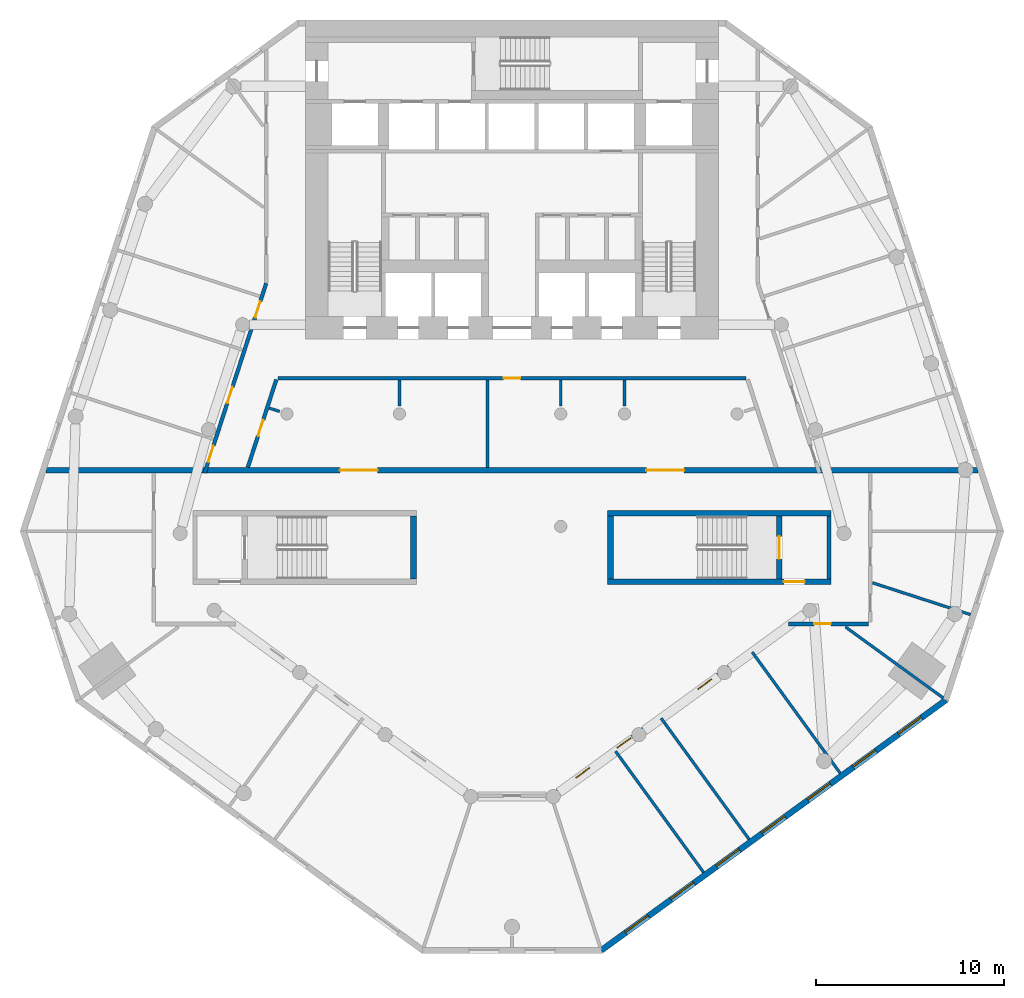
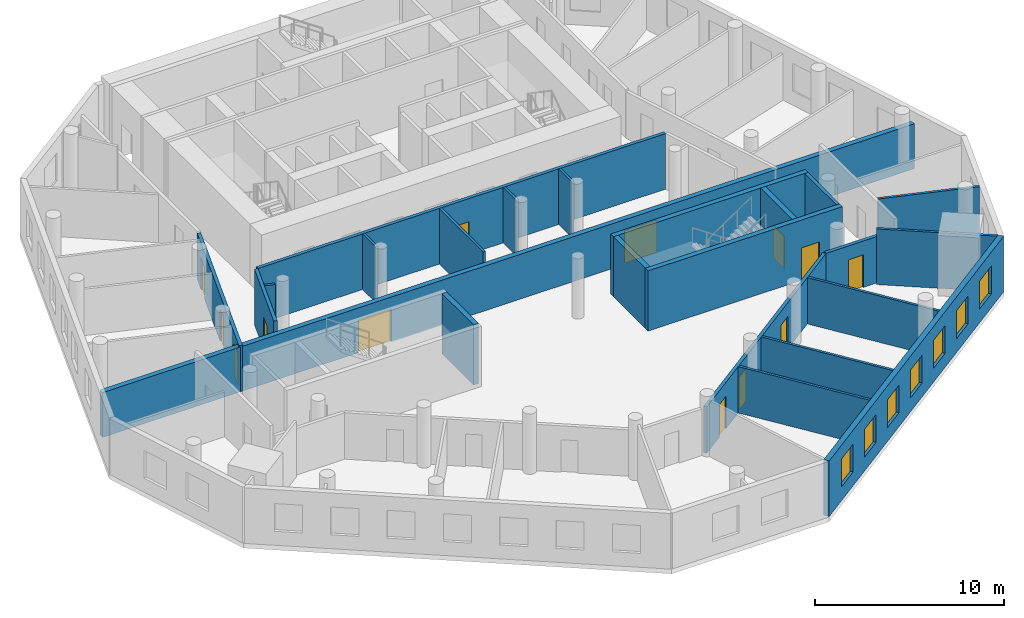
# One storey, part 3 of 9: 23 walls, 13 doors, 7 windows, 20 openings.
"""IFC4 building model written with IfcOpenShell, lengths in metres."""

from ifc_helpers import new_model, si_unit, direction, frame, frame_2d, origin, place, context, subcontext, project, spatial, rectangle, extrude, material, layer, layer_set, type_object, element, fill, save


model = new_model("IFC4")

# Units and contexts
model_context = context("Model", 3, precision=1e-05, world=origin(), true_north=direction((0.0, 1.0)))
body_context = subcontext(model_context, "Body", "Model", "MODEL_VIEW")
ifc_project = project(units=[si_unit("LENGTHUNIT", "METRE"), si_unit("AREAUNIT", "SQUARE_METRE"), si_unit("VOLUMEUNIT", "CUBIC_METRE"), si_unit("PLANEANGLEUNIT", "RADIAN"), si_unit("MASSUNIT", "GRAM", prefix="KILO")], contexts=[model_context])

# Site, building, storey
site_placement = place(None, origin())
site = spatial("IfcSite", under=ifc_project, at=site_placement, CompositionType="ELEMENT")
building_placement = place(site_placement, origin())
building = spatial("IfcBuilding", under=site, at=building_placement, Name="White Candle Pilgrim Tower", CompositionType="ELEMENT")
storey_placement = place(building_placement, frame((0.0, 0.0, 58.5)))
storey = spatial("IfcBuildingStorey", under=building, at=storey_placement, Name="L11", CompositionType="ELEMENT", Elevation=58.5)

# Wall
ifc_material_1 = material(Name="Concrete C70/85", Category="concrete")
ifc_layer_1 = layer(ifc_material_1, 0.199951171875)
ifc_layer_set_1 = layer_set([ifc_layer_1], Name="Core wall 200 mm Concrete C70/85")
wall_type_1 = type_object("IfcWallType", Name="Core wall 200 mm Concrete C70/85", PredefinedType="SHEAR", material=ifc_layer_set_1)
wall_1_placement = place(storey_placement, frame((86.89990234375, 58.199951171875, 0.0), z_axis=(0.0, 0.0, 1.0), x_axis=(0.0, 1.0, 0.0)))
element("IfcWall", 1, at=wall_1_placement, inside=storey, type_object=wall_type_1, Name="WL-L11-C08", PredefinedType="SHEAR", context=body_context, shape_type="SweptSolid", body=[
    extrude(rectangle(XDim=3.35009765625, YDim=0.199951171875, at=frame_2d((1.675048828125, 0.0))), origin(), (0.0, 0.0, 1.0), 3.89990234375),
])

# Wall, openings, doors
ifc_material_2 = material(Name="Gypsum board on steel studs", Category="steel")
ifc_layer_2 = layer(ifc_material_2, 0.199951171875)
ifc_layer_set_2 = layer_set([ifc_layer_2], Name="Corridor wall 200 mm EI 45")
wall_type_2 = type_object("IfcWallType", Name="Corridor wall 200 mm EI 45", PredefinedType="PARTITIONING", material=ifc_layer_set_2)
wall_2_placement = place(storey_placement, frame((53.610107421875, 63.85009765625, 0.0), z_axis=(0.0, 0.0, 1.0), x_axis=(0.308998312102, 0.951062586331, 0.0)))
wall_2 = element("IfcWall", 2, at=wall_2_placement, inside=storey, type_object=wall_type_2, Name="WL-L11-P002", PredefinedType="PARTITIONING", context=body_context, shape_type="SweptSolid", body=[
    extrude(rectangle(XDim=10.630859375, YDim=0.199951171875, at=frame_2d((5.3154296875, 0.0))), origin(), (0.0, 0.0, 1.0), 3.0),
])
opening_1_placement = place(wall_2_placement, frame((0.623291015625, 0.0, 0.0)))
opening_1 = element("IfcOpeningElement", 3, at=opening_1_placement, cuts=wall_2, Name="Opening T03-115", PredefinedType="OPENING", context=body_context, shape_type="SweptSolid", body=[
    extrude(rectangle(XDim=0.89990234375, YDim=2.10009765625, at=frame_2d((0.449951171875, 1.050048828125))), frame((0.0, 0.10986328125, 0.0), z_axis=(0.0, -1.0, 0.0), x_axis=(1.0, 0.0, 0.0)), (0.0, 0.0, 1.0), 0.219970703125),
])
opening_2_placement = place(wall_2_placement, frame((3.916748046875, 0.0, 0.0)))
opening_2 = element("IfcOpeningElement", 4, at=opening_2_placement, cuts=wall_2, Name="Opening T03-116", PredefinedType="OPENING", context=body_context, shape_type="SweptSolid", body=[
    extrude(rectangle(XDim=0.89990234375, YDim=2.10009765625, at=frame_2d((0.449951171875, 1.050048828125))), frame((0.0, 0.10986328125, 0.0), z_axis=(0.0, -1.0, 0.0), x_axis=(1.0, 0.0, 0.0)), (0.0, 0.0, 1.0), 0.219970703125),
])
opening_3_placement = place(wall_2_placement, frame((8.716552734375, 0.0, 0.0)))
opening_3 = element("IfcOpeningElement", 5, at=opening_3_placement, cuts=wall_2, Name="Opening T03-117", PredefinedType="OPENING", context=body_context, shape_type="SweptSolid", body=[
    extrude(rectangle(XDim=0.89990234375, YDim=2.10009765625, at=frame_2d((0.449951171875, 1.050048828125))), frame((0.0, 0.10986328125, 0.0), z_axis=(0.0, -1.0, 0.0), x_axis=(1.0, 0.0, 0.0)), (0.0, 0.0, 1.0), 0.219970703125),
])
ifc_material_3 = material(Name="Steel door leaf", Category="steel")
door_type_1 = type_object("IfcDoorType", Name="Fire door 900 x 2100 EI 30", OperationType="NOTDEFINED", PredefinedType="DOOR", material=ifc_material_3)
door_1_placement = place(opening_1_placement, origin())
door_1 = element("IfcDoor", 6, at=door_1_placement, inside=storey, type_object=door_type_1, Name="Door T03-115", OperationType="SINGLE_SWING_LEFT", OverallHeight=2.10009765625, OverallWidth=0.89990234375, PredefinedType="DOOR", context=body_context, shape_type="SweptSolid", body=[
    extrude(rectangle(XDim=0.89990234375, YDim=2.10009765625, at=frame_2d((0.449951171875, 1.050048828125))), frame((0.0, 0.02490234375, 0.0), z_axis=(0.0, -1.0, 0.0), x_axis=(1.0, 0.0, 0.0)), (0.0, 0.0, 1.0), 0.050048828125),
])
fill(opening_1, door_1)
door_2_placement = place(opening_2_placement, origin())
door_2 = element("IfcDoor", 7, at=door_2_placement, inside=storey, type_object=door_type_1, Name="Door T03-116", OperationType="SINGLE_SWING_RIGHT", OverallHeight=2.10009765625, OverallWidth=0.89990234375, PredefinedType="DOOR", context=body_context, shape_type="SweptSolid", body=[
    extrude(rectangle(XDim=0.89990234375, YDim=2.10009765625, at=frame_2d((0.449951171875, 1.050048828125))), frame((0.0, 0.02490234375, 0.0), z_axis=(0.0, -1.0, 0.0), x_axis=(1.0, 0.0, 0.0)), (0.0, 0.0, 1.0), 0.050048828125),
])
fill(opening_2, door_2)
door_3_placement = place(opening_3_placement, origin())
door_3 = element("IfcDoor", 8, at=door_3_placement, inside=storey, type_object=door_type_1, Name="Door T03-117", OperationType="SINGLE_SWING_LEFT", OverallHeight=2.10009765625, OverallWidth=0.89990234375, PredefinedType="DOOR", context=body_context, shape_type="SweptSolid", body=[
    extrude(rectangle(XDim=0.89990234375, YDim=2.10009765625, at=frame_2d((0.449951171875, 1.050048828125))), frame((0.0, 0.02490234375, 0.0), z_axis=(0.0, -1.0, 0.0), x_axis=(1.0, 0.0, 0.0)), (0.0, 0.0, 1.0), 0.050048828125),
])
fill(opening_3, door_3)

# Wall, opening, door
wall_3_placement = place(storey_placement, frame((89.0, 55.800048828125, 0.0), z_axis=(0.0, 0.0, 1.0), x_axis=(-1.0, 0.0, 0.0)))
wall_3 = element("IfcWall", 9, at=wall_3_placement, inside=storey, type_object=wall_type_2, Name="WL-L11-P007", PredefinedType="PARTITIONING", context=body_context, shape_type="SweptSolid", body=[
    extrude(rectangle(XDim=4.27099609375, YDim=0.199951171875, at=frame_2d((2.135498046875, 0.0))), origin(), (0.0, 0.0, 1.0), 3.0),
])
opening_4_placement = place(wall_3_placement, frame((1.996337890625, 0.0, 0.0)))
opening_4 = element("IfcOpeningElement", 10, at=opening_4_placement, cuts=wall_3, Name="Opening T03-109", PredefinedType="OPENING", context=body_context, shape_type="SweptSolid", body=[
    extrude(rectangle(XDim=0.89990234375, YDim=2.10009765625, at=frame_2d((0.449951171875, 1.050048828125))), frame((0.0, 0.10986328125, 0.0), z_axis=(0.0, -1.0, 0.0), x_axis=(1.0, 0.0, 0.0)), (0.0, 0.0, 1.0), 0.219970703125),
])
door_4_placement = place(opening_4_placement, origin())
door_4 = element("IfcDoor", 11, at=door_4_placement, inside=storey, type_object=door_type_1, Name="Door T03-109", OperationType="SINGLE_SWING_LEFT", OverallHeight=2.10009765625, OverallWidth=0.89990234375, PredefinedType="DOOR", context=body_context, shape_type="SweptSolid", body=[
    extrude(rectangle(XDim=0.89990234375, YDim=2.10009765625, at=frame_2d((0.449951171875, 1.050048828125))), frame((0.0, 0.02490234375, 0.0), z_axis=(0.0, -1.0, 0.0), x_axis=(1.0, 0.0, 0.0)), (0.0, 0.0, 1.0), 0.050048828125),
])
fill(opening_4, door_4)

# Wall, openings, doors
wall_4_placement = place(storey_placement, frame((84.67041015625, 55.781005859375, 0.0), z_axis=(0.0, 0.0, 1.0), x_axis=(-0.80901748899, -0.587784571512, 0.0)))
wall_4 = element("IfcWall", 12, at=wall_4_placement, inside=storey, type_object=wall_type_2, Name="WL-L11-P008", PredefinedType="PARTITIONING", context=body_context, shape_type="SweptSolid", body=[
    extrude(rectangle(XDim=15.52685546875, YDim=0.199951171875, at=frame_2d((7.763427734375, 0.0))), origin(), (0.0, 0.0, 1.0), 3.0),
])
opening_5_placement = place(wall_4_placement, frame((13.018798828125, 0.0, 0.0)))
opening_5 = element("IfcOpeningElement", 13, at=opening_5_placement, cuts=wall_4, Name="Opening T03-106", PredefinedType="OPENING", context=body_context, shape_type="SweptSolid", body=[
    extrude(rectangle(XDim=0.89990234375, YDim=2.10009765625, at=frame_2d((0.449951171875, 1.050048828125))), frame((0.0, 0.10986328125, 0.0), z_axis=(0.0, -1.0, 0.0), x_axis=(1.0, 0.0, 0.0)), (0.0, 0.0, 1.0), 0.219970703125),
])
opening_6_placement = place(wall_4_placement, frame((10.30322265625, 0.0, 0.0)))
opening_6 = element("IfcOpeningElement", 14, at=opening_6_placement, cuts=wall_4, Name="Opening T03-107", PredefinedType="OPENING", context=body_context, shape_type="SweptSolid", body=[
    extrude(rectangle(XDim=0.89990234375, YDim=2.10009765625, at=frame_2d((0.449951171875, 1.050048828125))), frame((0.0, 0.10986328125, 0.0), z_axis=(0.0, -1.0, 0.0), x_axis=(1.0, 0.0, 0.0)), (0.0, 0.0, 1.0), 0.219970703125),
])
opening_7_placement = place(wall_4_placement, frame((4.978271484375, 0.0, 0.0)))
opening_7 = element("IfcOpeningElement", 15, at=opening_7_placement, cuts=wall_4, Name="Opening T03-108", PredefinedType="OPENING", context=body_context, shape_type="SweptSolid", body=[
    extrude(rectangle(XDim=0.89990234375, YDim=2.10009765625, at=frame_2d((0.449951171875, 1.050048828125))), frame((0.0, 0.10986328125, 0.0), z_axis=(0.0, -1.0, 0.0), x_axis=(1.0, 0.0, 0.0)), (0.0, 0.0, 1.0), 0.219970703125),
])
door_5_placement = place(opening_5_placement, origin())
door_5 = element("IfcDoor", 16, at=door_5_placement, inside=storey, type_object=door_type_1, Name="Door T03-106", OperationType="SINGLE_SWING_RIGHT", OverallHeight=2.10009765625, OverallWidth=0.89990234375, PredefinedType="DOOR", context=body_context, shape_type="SweptSolid", body=[
    extrude(rectangle(XDim=0.89990234375, YDim=2.10009765625, at=frame_2d((0.449951171875, 1.050048828125))), frame((0.0, 0.02490234375, 0.0), z_axis=(0.0, -1.0, 0.0), x_axis=(1.0, 0.0, 0.0)), (0.0, 0.0, 1.0), 0.050048828125),
])
fill(opening_5, door_5)
door_6_placement = place(opening_6_placement, origin())
door_6 = element("IfcDoor", 17, at=door_6_placement, inside=storey, type_object=door_type_1, Name="Door T03-107", OperationType="SINGLE_SWING_LEFT", OverallHeight=2.10009765625, OverallWidth=0.89990234375, PredefinedType="DOOR", context=body_context, shape_type="SweptSolid", body=[
    extrude(rectangle(XDim=0.89990234375, YDim=2.10009765625, at=frame_2d((0.449951171875, 1.050048828125))), frame((0.0, 0.02490234375, 0.0), z_axis=(0.0, -1.0, 0.0), x_axis=(1.0, 0.0, 0.0)), (0.0, 0.0, 1.0), 0.050048828125),
])
fill(opening_6, door_6)
door_7_placement = place(opening_7_placement, origin())
door_7 = element("IfcDoor", 18, at=door_7_placement, inside=storey, type_object=door_type_1, Name="Door T03-108", OperationType="SINGLE_SWING_RIGHT", OverallHeight=2.10009765625, OverallWidth=0.89990234375, PredefinedType="DOOR", context=body_context, shape_type="SweptSolid", body=[
    extrude(rectangle(XDim=0.89990234375, YDim=2.10009765625, at=frame_2d((0.449951171875, 1.050048828125))), frame((0.0, 0.02490234375, 0.0), z_axis=(0.0, -1.0, 0.0), x_axis=(1.0, 0.0, 0.0)), (0.0, 0.0, 1.0), 0.050048828125),
])
fill(opening_7, door_7)

# Wall, opening, door
wall_5_placement = place(storey_placement, frame((82.468505859375, 68.89990234375, 0.0), z_axis=(0.0, 0.0, 1.0), x_axis=(-1.0, 0.0, 0.0)))
wall_5 = element("IfcWall", 19, at=wall_5_placement, inside=storey, type_object=wall_type_2, Name="WL-L11-P013", PredefinedType="PARTITIONING", context=body_context, shape_type="SweptSolid", body=[
    extrude(rectangle(XDim=24.93701171875, YDim=0.199951171875, at=frame_2d((12.468505859375, 0.0))), origin(), (0.0, 0.0, 1.0), 3.60009765625),
])
opening_8_placement = place(wall_5_placement, frame((12.0185546875, 0.0, 0.0)))
opening_8 = element("IfcOpeningElement", 20, at=opening_8_placement, cuts=wall_5, Name="Opening T03-130", PredefinedType="OPENING", context=body_context, shape_type="SweptSolid", body=[
    extrude(rectangle(XDim=0.89990234375, YDim=2.10009765625, at=frame_2d((0.449951171875, 1.050048828125))), frame((0.0, 0.10986328125, 0.0), z_axis=(0.0, -1.0, 0.0), x_axis=(1.0, 0.0, 0.0)), (0.0, 0.0, 1.0), 0.219970703125),
])
door_8_placement = place(opening_8_placement, origin())
door_8 = element("IfcDoor", 21, at=door_8_placement, inside=storey, type_object=door_type_1, Name="Door T03-130", OperationType="SINGLE_SWING_RIGHT", OverallHeight=2.10009765625, OverallWidth=0.89990234375, PredefinedType="DOOR", context=body_context, shape_type="SweptSolid", body=[
    extrude(rectangle(XDim=0.89990234375, YDim=2.10009765625, at=frame_2d((0.449951171875, 1.050048828125))), frame((0.0, 0.02490234375, 0.0), z_axis=(0.0, -1.0, 0.0), x_axis=(1.0, 0.0, 0.0)), (0.0, 0.0, 1.0), 0.050048828125),
])
fill(opening_8, door_8)

wall_6_placement = place(storey_placement, frame((57.436279296875, 68.830810546875, 0.0), z_axis=(0.0, 0.0, 1.0), x_axis=(-0.308986244793, -0.95106650689, 0.0)))
wall_6 = element("IfcWall", 22, at=wall_6_placement, inside=storey, type_object=wall_type_2, Name="WL-L11-P014", PredefinedType="PARTITIONING", context=body_context, shape_type="SweptSolid", body=[
    extrude(rectangle(XDim=4.921630859375, YDim=0.199951171875, at=frame_2d((2.4609375, 0.0))), origin(), (0.0, 0.0, 1.0), 3.60009765625),
])
opening_9_placement = place(wall_6_placement, frame((2.2705078125, 0.0, 0.0)))
opening_9 = element("IfcOpeningElement", 23, at=opening_9_placement, cuts=wall_6, Name="Opening T03-129", PredefinedType="OPENING", context=body_context, shape_type="SweptSolid", body=[
    extrude(rectangle(XDim=0.89990234375, YDim=2.10009765625, at=frame_2d((0.449951171875, 1.050048828125))), frame((0.0, 0.10986328125, 0.0), z_axis=(0.0, -1.0, 0.0), x_axis=(1.0, 0.0, 0.0)), (0.0, 0.0, 1.0), 0.219970703125),
])
door_9_placement = place(opening_9_placement, origin())
door_9 = element("IfcDoor", 24, at=door_9_placement, inside=storey, type_object=door_type_1, Name="Door T03-129", OperationType="SINGLE_SWING_LEFT", OverallHeight=2.10009765625, OverallWidth=0.89990234375, PredefinedType="DOOR", context=body_context, shape_type="SweptSolid", body=[
    extrude(rectangle(XDim=0.89990234375, YDim=2.10009765625, at=frame_2d((0.449951171875, 1.050048828125))), frame((0.0, 0.02490234375, 0.0), z_axis=(0.0, -1.0, 0.0), x_axis=(1.0, 0.0, 0.0)), (0.0, 0.0, 1.0), 0.050048828125),
])
fill(opening_9, door_9)

# Wall, openings, windows
ifc_material_4 = material(Name="Precast concrete C40/50", Category="concrete")
ifc_layer_3 = layer(ifc_material_4, 0.320068359375)
ifc_layer_set_3 = layer_set([ifc_layer_3], Name="Facade wall EW1 precast concrete C40/50 pier wall with timber-lined reveals")
wall_type_3 = type_object("IfcWallType", Name="Facade wall EW1 precast concrete C40/50 pier wall with timber-lined reveals", PredefinedType="SOLIDWALL", material=ifc_layer_set_3)
wall_7_placement = place(storey_placement, frame((74.760009765625, 38.3955078125, 0.0), z_axis=(0.0, 0.0, 1.0), x_axis=(0.809018094896, 0.587783737552, 0.0)))
wall_7 = element("IfcWall", 25, at=wall_7_placement, inside=storey, type_object=wall_type_3, Name="Facade wall L11 SE", PredefinedType="SOLIDWALL", context=body_context, shape_type="SweptSolid", body=[
    extrude(rectangle(XDim=22.71630859375, YDim=0.320068359375, at=frame_2d((11.358154296875, 0.0))), origin(), (0.0, 0.0, 1.0), 3.60009765625),
])
opening_10_placement = place(wall_7_placement, frame((1.608154296875, 0.0, 0.89990234375)))
opening_10 = element("IfcOpeningElement", 26, at=opening_10_placement, cuts=wall_7, Name="Opening W1", PredefinedType="OPENING", context=body_context, shape_type="SweptSolid", body=[
    extrude(rectangle(XDim=1.5, YDim=1.800048828125, at=frame_2d((0.75, 0.89990234375))), frame((0.0, 0.169921875, 0.0), z_axis=(0.0, -1.0, 0.0), x_axis=(1.0, 0.0, 0.0)), (0.0, 0.0, 1.0), 0.340087890625),
])
opening_11_placement = place(wall_7_placement, frame((4.608154296875, 0.0, 0.89990234375)))
opening_11 = element("IfcOpeningElement", 27, at=opening_11_placement, cuts=wall_7, Name="Opening W1", PredefinedType="OPENING", context=body_context, shape_type="SweptSolid", body=[
    extrude(rectangle(XDim=1.5, YDim=1.800048828125, at=frame_2d((0.75, 0.89990234375))), frame((0.0, 0.169921875, 0.0), z_axis=(0.0, -1.0, 0.0), x_axis=(1.0, 0.0, 0.0)), (0.0, 0.0, 1.0), 0.340087890625),
])
opening_12_placement = place(wall_7_placement, frame((7.608154296875, 0.0, 0.89990234375)))
opening_12 = element("IfcOpeningElement", 28, at=opening_12_placement, cuts=wall_7, Name="Opening W1", PredefinedType="OPENING", context=body_context, shape_type="SweptSolid", body=[
    extrude(rectangle(XDim=1.5, YDim=1.800048828125, at=frame_2d((0.75, 0.89990234375))), frame((0.0, 0.169921875, 0.0), z_axis=(0.0, -1.0, 0.0), x_axis=(1.0, 0.0, 0.0)), (0.0, 0.0, 1.0), 0.340087890625),
])
opening_13_placement = place(wall_7_placement, frame((10.608154296875, 0.0, 0.89990234375)))
opening_13 = element("IfcOpeningElement", 29, at=opening_13_placement, cuts=wall_7, Name="Opening W1", PredefinedType="OPENING", context=body_context, shape_type="SweptSolid", body=[
    extrude(rectangle(XDim=1.5, YDim=1.800048828125, at=frame_2d((0.75, 0.89990234375))), frame((0.0, 0.169921875, 0.0), z_axis=(0.0, -1.0, 0.0), x_axis=(1.0, 0.0, 0.0)), (0.0, 0.0, 1.0), 0.340087890625),
])
opening_14_placement = place(wall_7_placement, frame((13.608154296875, 0.0, 0.89990234375)))
opening_14 = element("IfcOpeningElement", 30, at=opening_14_placement, cuts=wall_7, Name="Opening W1", PredefinedType="OPENING", context=body_context, shape_type="SweptSolid", body=[
    extrude(rectangle(XDim=1.5, YDim=1.800048828125, at=frame_2d((0.75, 0.89990234375))), frame((0.0, 0.169921875, 0.0), z_axis=(0.0, -1.0, 0.0), x_axis=(1.0, 0.0, 0.0)), (0.0, 0.0, 1.0), 0.340087890625),
])
opening_15_placement = place(wall_7_placement, frame((16.608154296875, 0.0, 0.89990234375)))
opening_15 = element("IfcOpeningElement", 31, at=opening_15_placement, cuts=wall_7, Name="Opening W1", PredefinedType="OPENING", context=body_context, shape_type="SweptSolid", body=[
    extrude(rectangle(XDim=1.5, YDim=1.800048828125, at=frame_2d((0.75, 0.89990234375))), frame((0.0, 0.169921875, 0.0), z_axis=(0.0, -1.0, 0.0), x_axis=(1.0, 0.0, 0.0)), (0.0, 0.0, 1.0), 0.340087890625),
])
opening_16_placement = place(wall_7_placement, frame((19.608154296875, 0.0, 0.89990234375)))
opening_16 = element("IfcOpeningElement", 32, at=opening_16_placement, cuts=wall_7, Name="Opening W1", PredefinedType="OPENING", context=body_context, shape_type="SweptSolid", body=[
    extrude(rectangle(XDim=1.5, YDim=1.800048828125, at=frame_2d((0.75, 0.89990234375))), frame((0.0, 0.169921875, 0.0), z_axis=(0.0, -1.0, 0.0), x_axis=(1.0, 0.0, 0.0)), (0.0, 0.0, 1.0), 0.340087890625),
])
ifc_material_5 = material(Name="Timber frame with triple glazing", Category="wood")
window_type = type_object("IfcWindowType", Name="Window W1 1500x1800 timber frame triple glazing", PartitioningType="SINGLE_PANEL", PredefinedType="WINDOW", material=ifc_material_5)
window_1_placement = place(opening_10_placement, origin())
window_1 = element("IfcWindow", 33, at=window_1_placement, inside=storey, type_object=window_type, Name="Window W1 L11 SE 1", OverallHeight=1.800048828125, OverallWidth=1.5, PartitioningType="SINGLE_PANEL", PredefinedType="WINDOW", context=body_context, shape_type="SweptSolid", body=[
    extrude(rectangle(XDim=1.5, YDim=1.800048828125, at=frame_2d((0.75, 0.89990234375))), frame((0.0, 0.070068359375, 0.0), z_axis=(0.0, -1.0, 0.0), x_axis=(1.0, 0.0, 0.0)), (0.0, 0.0, 1.0), 0.06005859375),
])
fill(opening_10, window_1)
window_2_placement = place(opening_11_placement, origin())
window_2 = element("IfcWindow", 34, at=window_2_placement, inside=storey, type_object=window_type, Name="Window W1 L11 SE 2", OverallHeight=1.800048828125, OverallWidth=1.5, PartitioningType="SINGLE_PANEL", PredefinedType="WINDOW", context=body_context, shape_type="SweptSolid", body=[
    extrude(rectangle(XDim=1.5, YDim=1.800048828125, at=frame_2d((0.75, 0.89990234375))), frame((0.0, 0.070068359375, 0.0), z_axis=(0.0, -1.0, 0.0), x_axis=(1.0, 0.0, 0.0)), (0.0, 0.0, 1.0), 0.06005859375),
])
fill(opening_11, window_2)
window_3_placement = place(opening_12_placement, origin())
window_3 = element("IfcWindow", 35, at=window_3_placement, inside=storey, type_object=window_type, Name="Window W1 L11 SE 3", OverallHeight=1.800048828125, OverallWidth=1.5, PartitioningType="SINGLE_PANEL", PredefinedType="WINDOW", context=body_context, shape_type="SweptSolid", body=[
    extrude(rectangle(XDim=1.5, YDim=1.800048828125, at=frame_2d((0.75, 0.89990234375))), frame((0.0, 0.070068359375, 0.0), z_axis=(0.0, -1.0, 0.0), x_axis=(1.0, 0.0, 0.0)), (0.0, 0.0, 1.0), 0.06005859375),
])
fill(opening_12, window_3)
window_4_placement = place(opening_13_placement, origin())
window_4 = element("IfcWindow", 36, at=window_4_placement, inside=storey, type_object=window_type, Name="Window W1 L11 SE 4", OverallHeight=1.800048828125, OverallWidth=1.5, PartitioningType="SINGLE_PANEL", PredefinedType="WINDOW", context=body_context, shape_type="SweptSolid", body=[
    extrude(rectangle(XDim=1.5, YDim=1.800048828125, at=frame_2d((0.75, 0.89990234375))), frame((0.0, 0.070068359375, 0.0), z_axis=(0.0, -1.0, 0.0), x_axis=(1.0, 0.0, 0.0)), (0.0, 0.0, 1.0), 0.06005859375),
])
fill(opening_13, window_4)
window_5_placement = place(opening_14_placement, origin())
window_5 = element("IfcWindow", 37, at=window_5_placement, inside=storey, type_object=window_type, Name="Window W1 L11 SE 5", OverallHeight=1.800048828125, OverallWidth=1.5, PartitioningType="SINGLE_PANEL", PredefinedType="WINDOW", context=body_context, shape_type="SweptSolid", body=[
    extrude(rectangle(XDim=1.5, YDim=1.800048828125, at=frame_2d((0.75, 0.89990234375))), frame((0.0, 0.070068359375, 0.0), z_axis=(0.0, -1.0, 0.0), x_axis=(1.0, 0.0, 0.0)), (0.0, 0.0, 1.0), 0.06005859375),
])
fill(opening_14, window_5)
window_6_placement = place(opening_15_placement, origin())
window_6 = element("IfcWindow", 38, at=window_6_placement, inside=storey, type_object=window_type, Name="Window W1 L11 SE 6", OverallHeight=1.800048828125, OverallWidth=1.5, PartitioningType="SINGLE_PANEL", PredefinedType="WINDOW", context=body_context, shape_type="SweptSolid", body=[
    extrude(rectangle(XDim=1.5, YDim=1.800048828125, at=frame_2d((0.75, 0.89990234375))), frame((0.0, 0.070068359375, 0.0), z_axis=(0.0, -1.0, 0.0), x_axis=(1.0, 0.0, 0.0)), (0.0, 0.0, 1.0), 0.06005859375),
])
fill(opening_15, window_6)
window_7_placement = place(opening_16_placement, origin())
window_7 = element("IfcWindow", 39, at=window_7_placement, inside=storey, type_object=window_type, Name="Window W1 L11 SE 7", OverallHeight=1.800048828125, OverallWidth=1.5, PartitioningType="SINGLE_PANEL", PredefinedType="WINDOW", context=body_context, shape_type="SweptSolid", body=[
    extrude(rectangle(XDim=1.5, YDim=1.800048828125, at=frame_2d((0.75, 0.89990234375))), frame((0.0, 0.070068359375, 0.0), z_axis=(0.0, -1.0, 0.0), x_axis=(1.0, 0.0, 0.0)), (0.0, 0.0, 1.0), 0.06005859375),
])
fill(opening_16, window_7)

# Wall, openings, doors
ifc_material_6 = material(Name="Aerated concrete block", Category="concrete")
ifc_layer_4 = layer(ifc_material_6, 0.300048828125)
ifc_layer_set_4 = layer_set([ifc_layer_4], Name="Fire wall 300 mm REI 240")
wall_type_4 = type_object("IfcWallType", Name="Fire wall 300 mm REI 240", PredefinedType="PARTITIONING", material=ifc_layer_set_4)
wall_8_placement = place(storey_placement, frame((45.162841796875, 64.0, 0.0), z_axis=(0.0, 0.0, 1.0), x_axis=(1.0, 0.0, 0.0)))
wall_8 = element("IfcWall", 40, at=wall_8_placement, inside=storey, type_object=wall_type_4, Name="WL-L11-P001", PredefinedType="PARTITIONING", context=body_context, shape_type="SweptSolid", body=[
    extrude(rectangle(XDim=49.67431640625, YDim=0.300048828125, at=frame_2d((24.837158203125, 0.0))), origin(), (0.0, 0.0, 1.0), 2.89990234375),
])
opening_17_placement = place(wall_8_placement, frame((15.66650390625, 0.0, 0.0)))
opening_17 = element("IfcOpeningElement", 41, at=opening_17_placement, cuts=wall_8, Name="Opening T03-112", PredefinedType="OPENING", context=body_context, shape_type="SweptSolid", body=[
    extrude(rectangle(XDim=2.0, YDim=2.10009765625, at=frame_2d((1.0, 1.050048828125))), frame((0.0, 0.159912109375, 0.0), z_axis=(0.0, -1.0, 0.0), x_axis=(1.0, 0.0, 0.0)), (0.0, 0.0, 1.0), 0.320068359375),
])
opening_18_placement = place(wall_8_placement, frame((32.0078125, 0.0, 0.0)))
opening_18 = element("IfcOpeningElement", 42, at=opening_18_placement, cuts=wall_8, Name="Opening T03-113", PredefinedType="OPENING", context=body_context, shape_type="SweptSolid", body=[
    extrude(rectangle(XDim=2.0, YDim=2.10009765625, at=frame_2d((1.0, 1.050048828125))), frame((0.0, 0.159912109375, 0.0), z_axis=(0.0, -1.0, 0.0), x_axis=(1.0, 0.0, 0.0)), (0.0, 0.0, 1.0), 0.320068359375),
])
door_type_2 = type_object("IfcDoorType", Name="Fire door 2000 x 2100 EI 60", OperationType="NOTDEFINED", PredefinedType="DOOR", material=ifc_material_3)
door_10_placement = place(opening_17_placement, origin())
door_10 = element("IfcDoor", 43, at=door_10_placement, inside=storey, type_object=door_type_2, Name="Door T03-112", OperationType="DOUBLE_DOOR_SINGLE_SWING", OverallHeight=2.10009765625, OverallWidth=2.0, PredefinedType="DOOR", context=body_context, shape_type="SweptSolid", body=[
    extrude(rectangle(XDim=2.0, YDim=2.10009765625, at=frame_2d((1.0, 1.050048828125))), frame((0.0, 0.02490234375, 0.0), z_axis=(0.0, -1.0, 0.0), x_axis=(1.0, 0.0, 0.0)), (0.0, 0.0, 1.0), 0.050048828125),
])
fill(opening_17, door_10)
door_11_placement = place(opening_18_placement, origin())
door_11 = element("IfcDoor", 44, at=door_11_placement, inside=storey, type_object=door_type_2, Name="Door T03-113", OperationType="DOUBLE_DOOR_SINGLE_SWING", OverallHeight=2.10009765625, OverallWidth=2.0, PredefinedType="DOOR", context=body_context, shape_type="SweptSolid", body=[
    extrude(rectangle(XDim=2.0, YDim=2.10009765625, at=frame_2d((1.0, 1.050048828125))), frame((0.0, 0.02490234375, 0.0), z_axis=(0.0, -1.0, 0.0), x_axis=(1.0, 0.0, 0.0)), (0.0, 0.0, 1.0), 0.050048828125),
])
fill(opening_18, door_11)

# Walls
ifc_layer_5 = layer(ifc_material_2, 0.14990234375)
ifc_layer_set_5 = layer_set([ifc_layer_5], Name="Partition 150 mm EI 60")
wall_type_5 = type_object("IfcWallType", Name="Partition 150 mm EI 60", PredefinedType="PARTITIONING", material=ifc_layer_set_5)
wall_9_placement = place(storey_placement, frame((93.001953125, 51.8466796875, 0.0), z_axis=(0.0, 0.0, 1.0), x_axis=(-0.809002704112, 0.587804920649, 0.0)))
element("IfcWall", 45, at=wall_9_placement, inside=storey, type_object=wall_type_5, Name="WL-L11-P021", PredefinedType="PARTITIONING", context=body_context, shape_type="SweptSolid", body=[
    extrude(rectangle(XDim=6.452392578125, YDim=0.14990234375, at=frame_2d((3.22607421875, 0.0))), origin(), (0.0, 0.0, 1.0), 3.60009765625),
])
wall_10_placement = place(storey_placement, frame((80.21435546875, 42.55615234375, 0.0), z_axis=(0.0, 0.0, 1.0), x_axis=(-0.587785971812, 0.809016471613, 0.0)))
element("IfcWall", 46, at=wall_10_placement, inside=storey, type_object=wall_type_5, Name="WL-L11-P030", PredefinedType="PARTITIONING", context=body_context, shape_type="SweptSolid", body=[
    extrude(rectangle(XDim=7.979736328125, YDim=0.14990234375, at=frame_2d((3.98974609375, 0.0))), origin(), (0.0, 0.0, 1.0), 3.0),
])
wall_11_placement = place(storey_placement, frame((82.6416015625, 44.3193359375, 0.0), z_axis=(0.0, 0.0, 1.0), x_axis=(-0.587791447383, 0.809012493342, 0.0)))
element("IfcWall", 47, at=wall_11_placement, inside=storey, type_object=wall_type_5, Name="WL-L11-P031", PredefinedType="PARTITIONING", context=body_context, shape_type="SweptSolid", body=[
    extrude(rectangle(XDim=7.980224609375, YDim=0.14990234375, at=frame_2d((3.990234375, 0.0))), origin(), (0.0, 0.0, 1.0), 3.0),
])
wall_12_placement = place(storey_placement, frame((87.49560546875, 47.84619140625, 0.0), z_axis=(0.0, 0.0, 1.0), x_axis=(-0.587785971812, 0.809016471613, 0.0)))
element("IfcWall", 48, at=wall_12_placement, inside=storey, type_object=wall_type_5, Name="WL-L11-P032", PredefinedType="PARTITIONING", context=body_context, shape_type="SweptSolid", body=[
    extrude(rectangle(XDim=7.979736328125, YDim=0.14990234375, at=frame_2d((3.98974609375, 0.0))), origin(), (0.0, 0.0, 1.0), 3.0),
])
wall_13_placement = place(storey_placement, frame((94.447998046875, 56.297119140625, 0.0), z_axis=(0.0, 0.0, 1.0), x_axis=(-0.951064436206, 0.308992618333, 0.0)))
element("IfcWall", 49, at=wall_13_placement, inside=storey, type_object=wall_type_5, Name="WL-L11-P033", PredefinedType="PARTITIONING", context=body_context, shape_type="SweptSolid", body=[
    extrude(rectangle(XDim=5.49365234375, YDim=0.14990234375, at=frame_2d((2.746826171875, 0.0))), origin(), (0.0, 0.0, 1.0), 3.60009765625),
])
wall_14_placement = place(storey_placement, frame((68.696533203125, 64.14990234375, 0.0), z_axis=(0.0, 0.0, 1.0), x_axis=(0.0, 1.0, 0.0)))
element("IfcWall", 50, at=wall_14_placement, inside=storey, type_object=wall_type_5, Name="WL-L11-P039", PredefinedType="PARTITIONING", context=body_context, shape_type="SweptSolid", body=[
    extrude(rectangle(XDim=4.650146484375, YDim=0.14990234375, at=frame_2d((2.3251953125, 0.0))), origin(), (0.0, 0.0, 1.0), 3.60009765625),
])
wall_15_placement = place(storey_placement, frame((57.606201171875, 67.131103515625, 0.0), z_axis=(0.0, 0.0, 1.0), x_axis=(-0.9511501924, 0.30872854014, 0.0)))
element("IfcWall", 51, at=wall_15_placement, inside=storey, type_object=wall_type_5, Name="WL-L11-P043", PredefinedType="PARTITIONING", context=body_context, shape_type="SweptSolid", body=[
    extrude(rectangle(XDim=0.586669921875, YDim=0.14990234375, at=frame_2d((0.29345703125, 0.0))), origin(), (0.0, 0.0, 1.0), 3.60009765625),
])
for number, where, z_axis, x_axis, name in (
    (52, (63.997802734375, 67.4150390625, 0.0), (0.0, 0.0, 1.0), (0.0, 1.0, 0.0), "WL-L11-P044"),
    (53, (72.59765625, 67.4150390625, 0.0), (0.0, 0.0, 1.0), (0.0, 1.0, 0.0), "WL-L11-P045"),
    (54, (75.997802734375, 67.4150390625, 0.0), (0.0, 0.0, 1.0), (0.0, 1.0, 0.0), "WL-L11-P046"),
):
    element("IfcWall", number, at=place(storey_placement, frame(where, z_axis=z_axis, x_axis=x_axis)), inside=storey, type_object=wall_type_5, Name=name, PredefinedType="PARTITIONING", context=body_context, shape_type="SweptSolid", body=[
        extrude(rectangle(XDim=1.385009765625, YDim=0.14990234375, at=frame_2d((0.6923828125, 0.0))), origin(), (0.0, 0.0, 1.0), 3.60009765625),
    ])

# Wall, opening, door
ifc_layer_6 = layer(ifc_material_1, 0.300048828125)
ifc_layer_set_6 = layer_set([ifc_layer_6], Name="Stair shaft wall 300 mm Concrete C70/85")
wall_type_6 = type_object("IfcWallType", Name="Stair shaft wall 300 mm Concrete C70/85", PredefinedType="SHEAR", material=ifc_layer_set_6)
wall_16_placement = place(storey_placement, frame((75.10009765625, 58.050048828125, 0.0), z_axis=(0.0, 0.0, 1.0), x_axis=(1.0, 0.0, 0.0)))
wall_16 = element("IfcWall", 55, at=wall_16_placement, inside=storey, type_object=wall_type_6, Name="WL-L11-C02", PredefinedType="SHEAR", context=body_context, shape_type="SweptSolid", body=[
    extrude(rectangle(XDim=11.89990234375, YDim=0.300048828125, at=frame_2d((5.949951171875, 0.0))), origin(), (0.0, 0.0, 1.0), 3.89990234375),
])
opening_19_placement = place(wall_16_placement, frame((9.39990234375, 0.0, 0.0)))
opening_19 = element("IfcOpeningElement", 56, at=opening_19_placement, cuts=wall_16, Name="Opening T03-009", PredefinedType="OPENING", context=body_context, shape_type="SweptSolid", body=[
    extrude(rectangle(XDim=1.10009765625, YDim=2.10009765625, at=frame_2d((0.550048828125, 1.050048828125))), frame((0.0, 0.159912109375, 0.0), z_axis=(0.0, -1.0, 0.0), x_axis=(1.0, 0.0, 0.0)), (0.0, 0.0, 1.0), 0.320068359375),
])
door_type_3 = type_object("IfcDoorType", Name="Fire door 1100 x 2100 EI 60", OperationType="NOTDEFINED", PredefinedType="DOOR", material=ifc_material_3)
door_12_placement = place(opening_19_placement, origin())
door_12 = element("IfcDoor", 57, at=door_12_placement, inside=storey, type_object=door_type_3, Name="Door T03-009", OperationType="SINGLE_SWING_LEFT", OverallHeight=2.10009765625, OverallWidth=1.10009765625, PredefinedType="DOOR", context=body_context, shape_type="SweptSolid", body=[
    extrude(rectangle(XDim=1.10009765625, YDim=2.10009765625, at=frame_2d((0.550048828125, 1.050048828125))), frame((0.0, 0.02490234375, 0.0), z_axis=(0.0, -1.0, 0.0), x_axis=(1.0, 0.0, 0.0)), (0.0, 0.0, 1.0), 0.050048828125),
])
fill(opening_19, door_12)

# Walls
for number, where, z_axis, x_axis, name in (
    (58, (64.75, 58.199951171875, 0.0), (0.0, 0.0, 1.0), (0.0, 1.0, 0.0), "WL-L11-C05"),
    (59, (75.25, 58.199951171875, 0.0), (0.0, 0.0, 1.0), (0.0, 1.0, 0.0), "WL-L11-C06"),
):
    element("IfcWall", number, at=place(storey_placement, frame(where, z_axis=z_axis, x_axis=x_axis)), inside=storey, type_object=wall_type_6, Name=name, PredefinedType="SHEAR", context=body_context, shape_type="SweptSolid", body=[
        extrude(rectangle(XDim=3.35009765625, YDim=0.300048828125, at=frame_2d((1.675048828125, 0.0))), origin(), (0.0, 0.0, 1.0), 3.89990234375),
    ])

# Wall, opening, door
wall_17_placement = place(storey_placement, frame((84.25, 58.199951171875, 0.0), z_axis=(0.0, 0.0, 1.0), x_axis=(0.0, 1.0, 0.0)))
wall_17 = element("IfcWall", 60, at=wall_17_placement, inside=storey, type_object=wall_type_6, Name="WL-L11-C07", PredefinedType="SHEAR", context=body_context, shape_type="SweptSolid", body=[
    extrude(rectangle(XDim=3.35009765625, YDim=0.300048828125, at=frame_2d((1.675048828125, 0.0))), origin(), (0.0, 0.0, 1.0), 3.89990234375),
])
opening_20_placement = place(wall_17_placement, frame((1.074951171875, 0.0, 0.0)))
opening_20 = element("IfcOpeningElement", 61, at=opening_20_placement, cuts=wall_17, Name="Opening T03-010", PredefinedType="OPENING", context=body_context, shape_type="SweptSolid", body=[
    extrude(rectangle(XDim=1.199951171875, YDim=2.10009765625, at=frame_2d((0.60009765625, 1.050048828125))), frame((0.0, 0.159912109375, 0.0), z_axis=(0.0, -1.0, 0.0), x_axis=(1.0, 0.0, 0.0)), (0.0, 0.0, 1.0), 0.320068359375),
])
door_type_4 = type_object("IfcDoorType", Name="Fire door 1200 x 2100 EI 60", OperationType="NOTDEFINED", PredefinedType="DOOR", material=ifc_material_3)
door_13_placement = place(opening_20_placement, origin())
door_13 = element("IfcDoor", 62, at=door_13_placement, inside=storey, type_object=door_type_4, Name="Door T03-010", OperationType="SINGLE_SWING_RIGHT", OverallHeight=2.10009765625, OverallWidth=1.199951171875, PredefinedType="DOOR", context=body_context, shape_type="SweptSolid", body=[
    extrude(rectangle(XDim=1.199951171875, YDim=2.10009765625, at=frame_2d((0.60009765625, 1.050048828125))), frame((0.0, 0.02490234375, 0.0), z_axis=(0.0, -1.0, 0.0), x_axis=(1.0, 0.0, 0.0)), (0.0, 0.0, 1.0), 0.050048828125),
])
fill(opening_20, door_13)

# Wall
wall_18_placement = place(storey_placement, frame((75.10009765625, 61.699951171875, 0.0), z_axis=(0.0, 0.0, 1.0), x_axis=(1.0, 0.0, 0.0)))
element("IfcWall", 63, at=wall_18_placement, inside=storey, type_object=wall_type_6, Name="WL-L11-C10", PredefinedType="SHEAR", context=body_context, shape_type="SweptSolid", body=[
    extrude(rectangle(XDim=11.89990234375, YDim=0.300048828125, at=frame_2d((5.949951171875, 0.0))), origin(), (0.0, 0.0, 1.0), 3.89990234375),
])

save(model, "model.ifc")
